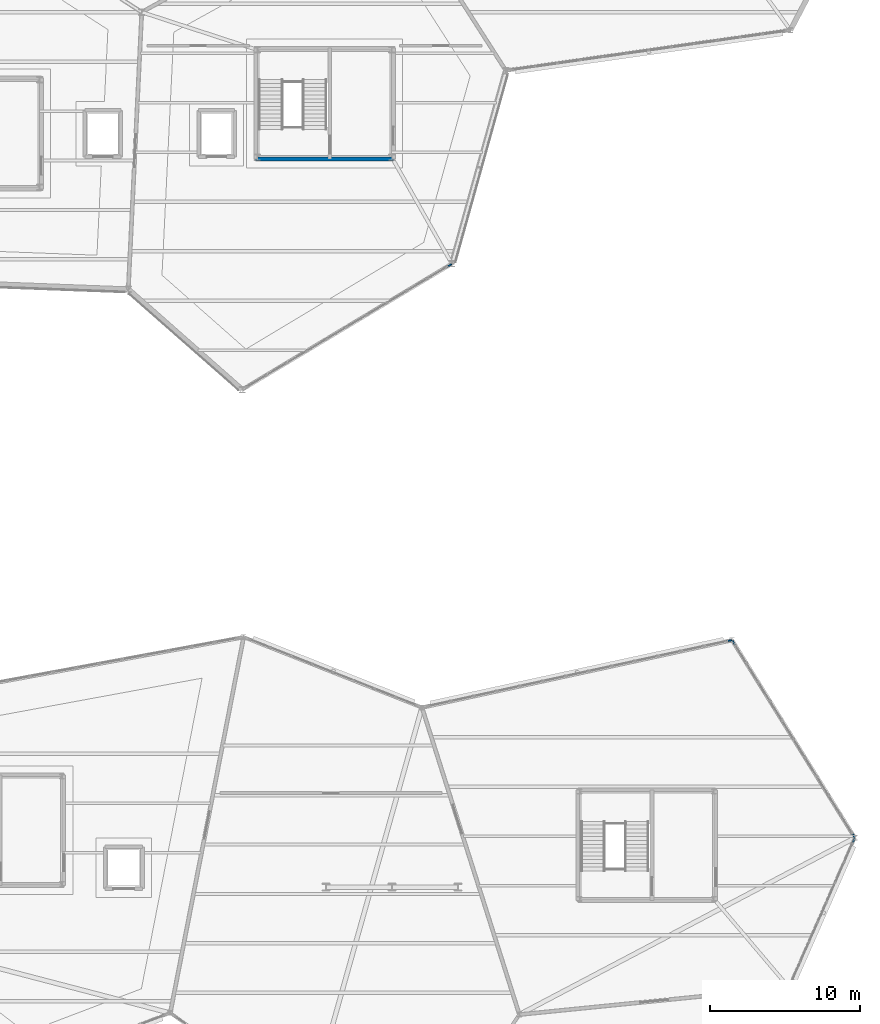
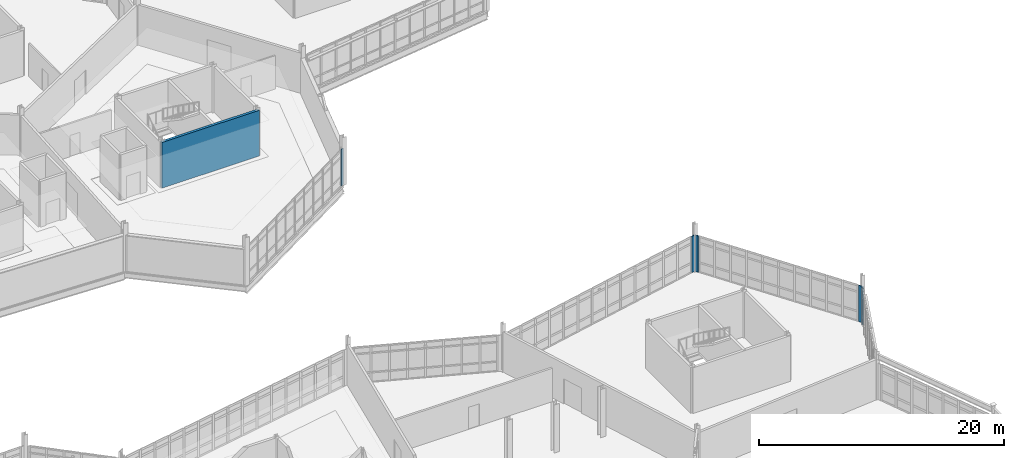
# One storey, part 118 of 134: 6 walls.
"""IFC4 building model written with IfcOpenShell, lengths in metres."""

from ifc_helpers import new_model, si_unit, direction, frame, frame_2d, origin, place, context, subcontext, project, spatial, rectangle, extrude, material, layer, layer_set, type_object, element, save


model = new_model("IFC4")

# Units and contexts
model_context = context("Model", 3, precision=1e-05, world=origin(), true_north=direction((0.0, 1.0)))
body_context = subcontext(model_context, "Body", "Model", "MODEL_VIEW")
ifc_project = project(units=[si_unit("LENGTHUNIT", "METRE"), si_unit("AREAUNIT", "SQUARE_METRE"), si_unit("VOLUMEUNIT", "CUBIC_METRE"), si_unit("PLANEANGLEUNIT", "RADIAN"), si_unit("MASSUNIT", "GRAM", prefix="KILO")], contexts=[model_context])

# Site, building, storey
site_placement = place(None, origin())
site = spatial("IfcSite", under=ifc_project, at=site_placement, CompositionType="ELEMENT")
building_placement = place(site_placement, origin())
building = spatial("IfcBuilding", under=site, at=building_placement, Name="Tameran Prism Museum", CompositionType="ELEMENT")
storey_placement = place(building_placement, frame((0.0, 0.0, 5.39990234375)))
storey = spatial("IfcBuildingStorey", under=building, at=storey_placement, Name="L01", CompositionType="ELEMENT", Elevation=5.39990234375)

# Walls
ifc_material_1 = material(Name="Precast Concrete N40 (40 MPa)", Category="concrete")
ifc_layer_1 = layer(ifc_material_1, 0.094970703125)
ifc_layer_set_1 = layer_set([ifc_layer_1])
wall_type_1 = type_object("IfcWallType", Name="EW-CLOS-095", PredefinedType="SOLIDWALL", material=ifc_layer_set_1)
wall_1_placement = place(storey_placement, frame((139.464111328125, 72.278076171875, 0.0), z_axis=(0.0, 0.0, 1.0), x_axis=(-0.858261853705, -0.513212032668, 0.0)))
element("IfcWall", 1, at=wall_1_placement, inside=storey, type_object=wall_type_1, Name="Facade Corner Closure EW-0168", PredefinedType="SOLIDWALL", context=body_context, shape_type="SweptSolid", body=[
    extrude(rectangle(XDim=0.307861328125, YDim=0.094970703125, at=frame_2d((0.15380859375, 0.0))), origin(), (0.0, 0.0, 1.0), 3.6201171875),
])
wall_2_placement = place(storey_placement, frame((166.383056640625, 33.9619140625, 0.0), z_axis=(0.0, 0.0, 1.0), x_axis=(-0.402605813257, -0.915373453369, 0.0)))
element("IfcWall", 2, at=wall_2_placement, inside=storey, type_object=wall_type_1, Name="Facade Corner Closure EW-0264", PredefinedType="SOLIDWALL", context=body_context, shape_type="SweptSolid", body=[
    extrude(rectangle(XDim=0.30810546875, YDim=0.094970703125, at=frame_2d((0.154052734375, 0.0))), origin(), (0.0, 0.0, 1.0), 3.6201171875),
])
for number, where, z_axis, x_axis, name in (
    (3, (158.221923828125, 47.1640625, 0.0), (0.0, 0.0, 1.0), (0.52992762983, -0.848042868694, 0.0), "Facade Corner Closure EW-0266"),
    (4, (166.215087890625, 34.297119140625, 0.0), (0.0, 0.0, 1.0), (0.529000509187, -0.848621506492, 0.0), "Facade Corner Closure EW-0267"),
    (5, (157.85791015625, 47.1259765625, 0.0), (0.0, 0.0, 1.0), (0.977511431712, 0.210882433768, 0.0), "Facade Corner Closure EW-0269"),
):
    element("IfcWall", number, at=place(storey_placement, frame(where, z_axis=z_axis, x_axis=x_axis)), inside=storey, type_object=wall_type_1, Name=name, PredefinedType="SOLIDWALL", context=body_context, shape_type="SweptSolid", body=[
        extrude(rectangle(XDim=0.307861328125, YDim=0.094970703125, at=frame_2d((0.15380859375, 0.0))), origin(), (0.0, 0.0, 1.0), 3.6201171875),
    ])
ifc_material_2 = material(Name="Concrete N40 (40 MPa)", Category="concrete")
ifc_layer_2 = layer(ifc_material_2, 0.25)
ifc_layer_set_2 = layer_set([ifc_layer_2])
wall_type_2 = type_object("IfcWallType", Name="IW-COR-250", PredefinedType="SHEAR", material=ifc_layer_set_2)
wall_3_placement = place(storey_placement, frame((135.60009765625, 79.300048828125, 0.0), z_axis=(0.0, 0.0, 1.0), x_axis=(-1.0, 0.0, 0.0)))
element("IfcWall", 6, at=wall_3_placement, inside=storey, type_object=wall_type_2, Name="Core Shear Wall CW-2-L01-S", PredefinedType="SHEAR", context=body_context, shape_type="SweptSolid", body=[
    extrude(rectangle(XDim=9.2001953125, YDim=0.25, at=frame_2d((4.60009765625, 0.0))), origin(), (0.0, 0.0, 1.0), 4.56005859375),
])

save(model, "model.ifc")
